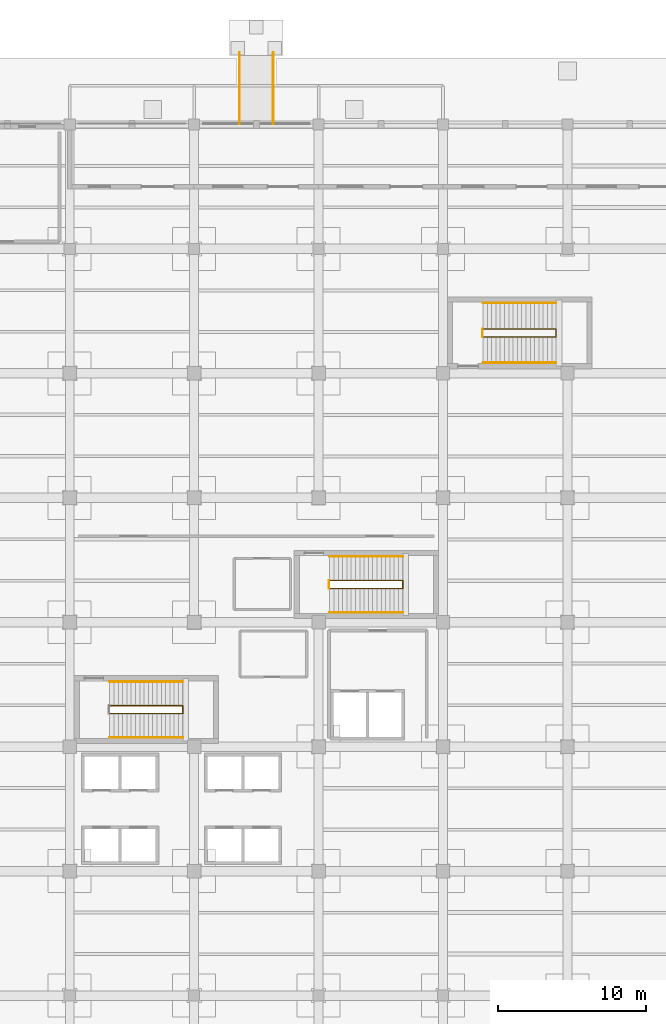
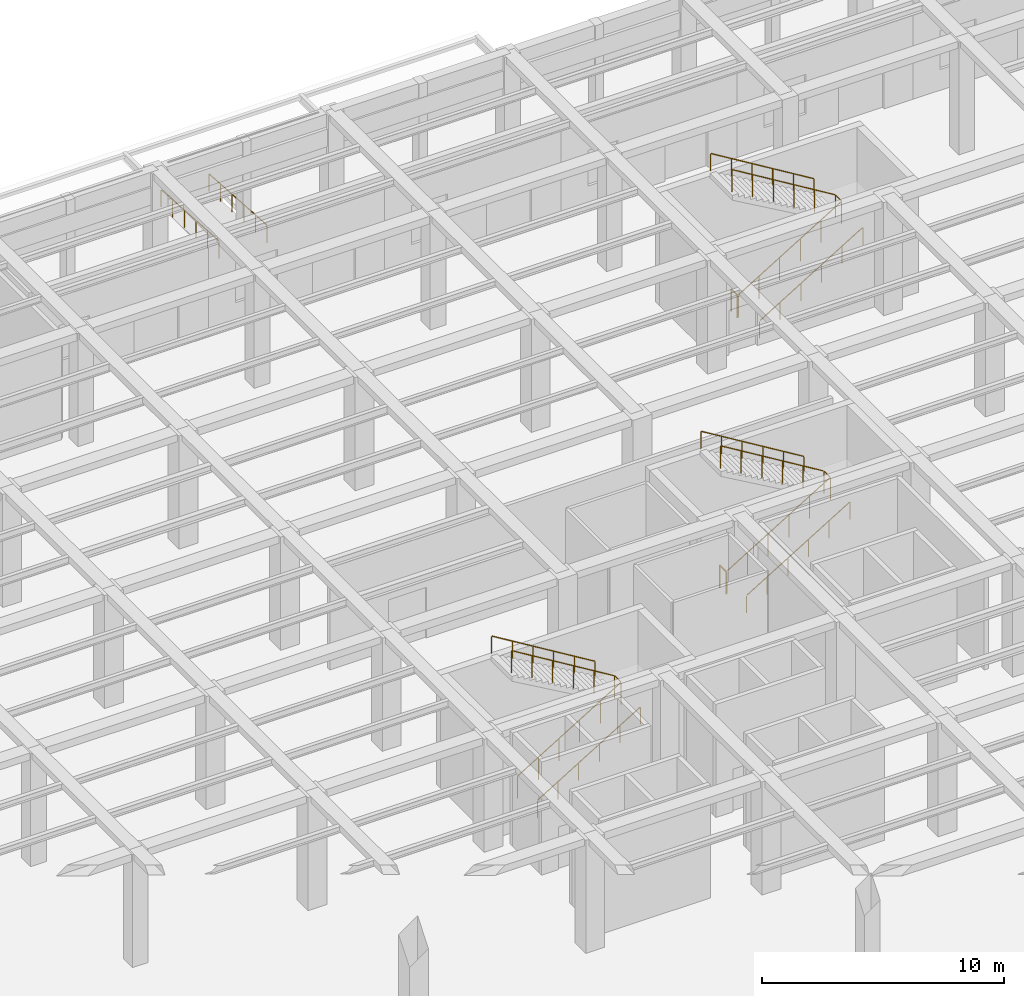
# One storey, part 42 of 43: 13 railings.
"""IFC4 building model written with IfcOpenShell, lengths in metres."""

from ifc_helpers import new_model, si_unit, direction, frame, origin, origin_2d, place, context, subcontext, project, spatial, circle, extrude, material, type_object, element, save


model = new_model("IFC4")

# Units and contexts
model_context = context("Model", 3, precision=1e-05, world=origin(), true_north=direction((0.0, 1.0)))
body_context = subcontext(model_context, "Body", "Model", "MODEL_VIEW")
ifc_project = project(units=[si_unit("LENGTHUNIT", "METRE"), si_unit("AREAUNIT", "SQUARE_METRE"), si_unit("VOLUMEUNIT", "CUBIC_METRE"), si_unit("PLANEANGLEUNIT", "RADIAN"), si_unit("MASSUNIT", "GRAM", prefix="KILO")], contexts=[model_context])

# Site, building, storey
site_placement = place(None, origin())
site = spatial("IfcSite", under=ifc_project, at=site_placement, CompositionType="ELEMENT")
building_placement = place(site_placement, origin())
building = spatial("IfcBuilding", under=site, at=building_placement, Name="Almacenes y Pasaje Nevantli", CompositionType="ELEMENT")
storey_placement = place(building_placement, origin())
storey = spatial("IfcBuildingStorey", under=building, at=storey_placement, Name="L01", CompositionType="ELEMENT", Elevation=0.0)

# Railings
ifc_material_1 = material(Name="Brushed Stainless Steel and Tempered Safety Glass", Category="steel")
railing_type_1 = type_object("IfcRailingType", Name="RL-GUARD-1100", PredefinedType="BALUSTRADE", material=ifc_material_1)
railing_1_placement = place(storey_placement, frame((120.300048828125, 77.830078125, 0.0)))
element("IfcRailing", 1, at=railing_1_placement, inside=storey, type_object=railing_type_1, Name="L01 Stair ST-01 Inner Well Guard Balustrade", PredefinedType="BALUSTRADE", context=body_context, shape_type="SweptSolid", body=[
    extrude(circle(Radius=0.02392578125, at=origin_2d()), frame((0.025634765625, 0.0, 1.141357421875), z_axis=(0.854262269089, 0.0, 0.519842260316), x_axis=(0.0, 1.0, 0.0)), (0.0, 0.0, 1.0), 5.7109375),
    extrude(circle(Radius=0.02392578125, at=origin_2d()), frame((4.929931640625, 0.030029296875, 4.1259765625), z_axis=(0.0, 1.0, 0.0), x_axis=(-1.0, 0.0, 0.0)), (0.0, 0.0, 1.0), 0.469970703125),
    extrude(circle(Radius=0.02392578125, at=origin_2d()), frame((4.904296875, 0.530029296875, 4.141357421875), z_axis=(-0.854262269089, 0.0, 0.519842260316), x_axis=(0.0, -1.0, 0.0)), (0.0, 0.0, 1.0), 5.7109375),
    extrude(circle(Radius=0.02099609375, at=origin_2d()), origin(), (0.0, 0.0, 1.0), 1.096923828125),
    extrude(circle(Radius=0.02099609375, at=origin_2d()), frame((0.986083984375, 0.0, 0.60009765625)), (0.0, 0.0, 1.0), 1.096923828125),
    extrude(circle(Radius=0.02099609375, at=origin_2d()), frame((1.971923828125, 0.0, 1.199951171875)), (0.0, 0.0, 1.0), 1.096923828125),
    extrude(circle(Radius=0.02099609375, at=origin_2d()), frame((2.9580078125, 0.0, 1.800048828125)), (0.0, 0.0, 1.0), 1.096923828125),
    extrude(circle(Radius=0.02099609375, at=origin_2d()), frame((3.94384765625, 0.0, 2.39990234375)), (0.0, 0.0, 1.0), 1.096923828125),
    extrude(circle(Radius=0.02099609375, at=origin_2d()), frame((4.929931640625, 0.0, 3.0)), (0.0, 0.0, 1.0), 1.096923828125),
    extrude(circle(Radius=0.02099609375, at=origin_2d()), frame((4.929931640625, 0.530029296875, 3.0)), (0.0, 0.0, 1.0), 1.096923828125),
    extrude(circle(Radius=0.02099609375, at=origin_2d()), frame((3.94384765625, 0.530029296875, 3.60009765625)), (0.0, 0.0, 1.0), 1.096923828125),
    extrude(circle(Radius=0.02099609375, at=origin_2d()), frame((2.9580078125, 0.530029296875, 4.199951171875)), (0.0, 0.0, 1.0), 1.096923828125),
    extrude(circle(Radius=0.02099609375, at=origin_2d()), frame((1.971923828125, 0.530029296875, 4.800048828125)), (0.0, 0.0, 1.0), 1.096923828125),
    extrude(circle(Radius=0.02099609375, at=origin_2d()), frame((0.986083984375, 0.530029296875, 5.39990234375)), (0.0, 0.0, 1.0), 1.096923828125),
    extrude(circle(Radius=0.02099609375, at=origin_2d()), frame((0.0, 0.530029296875, 6.0)), (0.0, 0.0, 1.0), 1.096923828125),
])
railing_2_placement = place(storey_placement, frame((135.14990234375, 86.280029296875, 0.0)))
element("IfcRailing", 2, at=railing_2_placement, inside=storey, type_object=railing_type_1, Name="L01 Stair ST-02 Inner Well Guard Balustrade", PredefinedType="BALUSTRADE", context=body_context, shape_type="SweptSolid", body=[
    extrude(circle(Radius=0.02392578125, at=origin_2d()), frame((0.025634765625, 0.0, 1.141357421875), z_axis=(0.854273700768, 0.0, 0.519823474053), x_axis=(0.0, 1.0, 0.0)), (0.0, 0.0, 1.0), 5.711181640625),
    extrude(circle(Radius=0.02392578125, at=origin_2d()), frame((4.93017578125, 0.030029296875, 4.1259765625), z_axis=(0.0, 1.0, 0.0), x_axis=(-1.0, 0.0, 0.0)), (0.0, 0.0, 1.0), 0.469970703125),
    extrude(circle(Radius=0.02392578125, at=origin_2d()), frame((4.904541015625, 0.530029296875, 4.141357421875), z_axis=(-0.854273700768, 0.0, 0.519823474053), x_axis=(0.0, -1.0, 0.0)), (0.0, 0.0, 1.0), 5.711181640625),
    extrude(circle(Radius=0.02099609375, at=origin_2d()), origin(), (0.0, 0.0, 1.0), 1.096923828125),
    extrude(circle(Radius=0.02099609375, at=origin_2d()), frame((0.986083984375, 0.0, 0.60009765625)), (0.0, 0.0, 1.0), 1.096923828125),
    extrude(circle(Radius=0.02099609375, at=origin_2d()), frame((1.97216796875, 0.0, 1.199951171875)), (0.0, 0.0, 1.0), 1.096923828125),
    extrude(circle(Radius=0.02099609375, at=origin_2d()), frame((2.9580078125, 0.0, 1.800048828125)), (0.0, 0.0, 1.0), 1.096923828125),
    extrude(circle(Radius=0.02099609375, at=origin_2d()), frame((3.944091796875, 0.0, 2.39990234375)), (0.0, 0.0, 1.0), 1.096923828125),
    extrude(circle(Radius=0.02099609375, at=origin_2d()), frame((4.93017578125, 0.0, 3.0)), (0.0, 0.0, 1.0), 1.096923828125),
    extrude(circle(Radius=0.02099609375, at=origin_2d()), frame((4.93017578125, 0.530029296875, 3.0)), (0.0, 0.0, 1.0), 1.096923828125),
    extrude(circle(Radius=0.02099609375, at=origin_2d()), frame((3.944091796875, 0.530029296875, 3.60009765625)), (0.0, 0.0, 1.0), 1.096923828125),
    extrude(circle(Radius=0.02099609375, at=origin_2d()), frame((2.9580078125, 0.530029296875, 4.199951171875)), (0.0, 0.0, 1.0), 1.096923828125),
    extrude(circle(Radius=0.02099609375, at=origin_2d()), frame((1.97216796875, 0.530029296875, 4.800048828125)), (0.0, 0.0, 1.0), 1.096923828125),
    extrude(circle(Radius=0.02099609375, at=origin_2d()), frame((0.986083984375, 0.530029296875, 5.39990234375)), (0.0, 0.0, 1.0), 1.096923828125),
    extrude(circle(Radius=0.02099609375, at=origin_2d()), frame((0.0, 0.530029296875, 6.0)), (0.0, 0.0, 1.0), 1.096923828125),
])
railing_3_placement = place(storey_placement, frame((135.110107421875, 86.280029296875, 0.0)))
element("IfcRailing", 3, at=railing_3_placement, inside=storey, type_object=railing_type_1, Name="L01 Stair ST-02 Landing Well Slot Guard", PredefinedType="BALUSTRADE", context=body_context, shape_type="SweptSolid", body=[
    extrude(circle(Radius=0.02392578125, at=origin_2d()), frame((0.0, 0.030029296875, 1.1259765625), z_axis=(0.0, 1.0, 0.0), x_axis=(-1.0, 0.0, 0.0)), (0.0, 0.0, 1.0), 0.469970703125),
    extrude(circle(Radius=0.02099609375, at=origin_2d()), origin(), (0.0, 0.0, 1.0), 1.096923828125),
    extrude(circle(Radius=0.02099609375, at=origin_2d()), frame((0.0, 0.530029296875, 0.0)), (0.0, 0.0, 1.0), 1.096923828125),
])
railing_4_placement = place(storey_placement, frame((145.5, 103.260009765625, 0.0)))
element("IfcRailing", 4, at=railing_4_placement, inside=storey, type_object=railing_type_1, Name="L01 Stair ST-07 Inner Well Guard Balustrade", PredefinedType="BALUSTRADE", context=body_context, shape_type="SweptSolid", body=[
    extrude(circle(Radius=0.02392578125, at=origin_2d()), frame((0.025634765625, 0.0, 1.141357421875), z_axis=(0.854262269089, 0.0, 0.519842260316), x_axis=(0.0, 1.0, 0.0)), (0.0, 0.0, 1.0), 5.7109375),
    extrude(circle(Radius=0.02392578125, at=origin_2d()), frame((4.929931640625, 0.030029296875, 4.1259765625), z_axis=(0.0, 1.0, 0.0), x_axis=(-1.0, 0.0, 0.0)), (0.0, 0.0, 1.0), 0.469970703125),
    extrude(circle(Radius=0.02392578125, at=origin_2d()), frame((4.904296875, 0.530029296875, 4.141357421875), z_axis=(-0.854262269089, 0.0, 0.519842260316), x_axis=(0.0, -1.0, 0.0)), (0.0, 0.0, 1.0), 5.7109375),
    extrude(circle(Radius=0.02099609375, at=origin_2d()), origin(), (0.0, 0.0, 1.0), 1.096923828125),
    extrude(circle(Radius=0.02099609375, at=origin_2d()), frame((0.986083984375, 0.0, 0.60009765625)), (0.0, 0.0, 1.0), 1.096923828125),
    extrude(circle(Radius=0.02099609375, at=origin_2d()), frame((1.971923828125, 0.0, 1.199951171875)), (0.0, 0.0, 1.0), 1.096923828125),
    extrude(circle(Radius=0.02099609375, at=origin_2d()), frame((2.9580078125, 0.0, 1.800048828125)), (0.0, 0.0, 1.0), 1.096923828125),
    extrude(circle(Radius=0.02099609375, at=origin_2d()), frame((3.94384765625, 0.0, 2.39990234375)), (0.0, 0.0, 1.0), 1.096923828125),
    extrude(circle(Radius=0.02099609375, at=origin_2d()), frame((4.929931640625, 0.0, 3.0)), (0.0, 0.0, 1.0), 1.096923828125),
    extrude(circle(Radius=0.02099609375, at=origin_2d()), frame((4.929931640625, 0.530029296875, 3.0)), (0.0, 0.0, 1.0), 1.096923828125),
    extrude(circle(Radius=0.02099609375, at=origin_2d()), frame((3.94384765625, 0.530029296875, 3.60009765625)), (0.0, 0.0, 1.0), 1.096923828125),
    extrude(circle(Radius=0.02099609375, at=origin_2d()), frame((2.9580078125, 0.530029296875, 4.199951171875)), (0.0, 0.0, 1.0), 1.096923828125),
    extrude(circle(Radius=0.02099609375, at=origin_2d()), frame((1.971923828125, 0.530029296875, 4.800048828125)), (0.0, 0.0, 1.0), 1.096923828125),
    extrude(circle(Radius=0.02099609375, at=origin_2d()), frame((0.986083984375, 0.530029296875, 5.39990234375)), (0.0, 0.0, 1.0), 1.096923828125),
    extrude(circle(Radius=0.02099609375, at=origin_2d()), frame((0.0, 0.530029296875, 6.0)), (0.0, 0.0, 1.0), 1.096923828125),
])
railing_5_placement = place(storey_placement, frame((145.4599609375, 103.260009765625, 0.0)))
element("IfcRailing", 5, at=railing_5_placement, inside=storey, type_object=railing_type_1, Name="L01 Stair ST-07 Landing Well Slot Guard", PredefinedType="BALUSTRADE", context=body_context, shape_type="SweptSolid", body=[
    extrude(circle(Radius=0.02392578125, at=origin_2d()), frame((0.0, 0.030029296875, 1.1259765625), z_axis=(0.0, 1.0, 0.0), x_axis=(-1.0, 0.0, 0.0)), (0.0, 0.0, 1.0), 0.469970703125),
    extrude(circle(Radius=0.02099609375, at=origin_2d()), origin(), (0.0, 0.0, 1.0), 1.096923828125),
    extrude(circle(Radius=0.02099609375, at=origin_2d()), frame((0.0, 0.530029296875, 0.0)), (0.0, 0.0, 1.0), 1.096923828125),
])
ifc_material_2 = material(Name="Brushed Stainless Steel Tube", Category="steel")
railing_type_2 = type_object("IfcRailingType", Name="RL-HANDRAIL-900", PredefinedType="HANDRAIL", material=ifc_material_2)
railing_6_placement = place(storey_placement, frame((120.300048828125, 76.2099609375, 0.0)))
element("IfcRailing", 6, at=railing_6_placement, inside=storey, type_object=railing_type_2, Name="L01 Stair ST-01 Lower Flight Handrail", PredefinedType="HANDRAIL", context=body_context, shape_type="SweptSolid", body=[
    extrude(circle(Radius=0.02392578125, at=origin_2d()), frame((0.025634765625, 0.0, 0.891357421875), z_axis=(0.854262269089, 0.0, 0.519842260316), x_axis=(0.0, 1.0, 0.0)), (0.0, 0.0, 1.0), 5.7109375),
    extrude(circle(Radius=0.02099609375, at=origin_2d()), origin(), (0.0, 0.0, 1.0), 0.846923828125),
    extrude(circle(Radius=0.02099609375, at=origin_2d()), frame((0.986083984375, 0.0, 0.60009765625)), (0.0, 0.0, 1.0), 0.846923828125),
    extrude(circle(Radius=0.02099609375, at=origin_2d()), frame((1.971923828125, 0.0, 1.199951171875)), (0.0, 0.0, 1.0), 0.846923828125),
    extrude(circle(Radius=0.02099609375, at=origin_2d()), frame((2.9580078125, 0.0, 1.800048828125)), (0.0, 0.0, 1.0), 0.846923828125),
    extrude(circle(Radius=0.02099609375, at=origin_2d()), frame((3.94384765625, 0.0, 2.39990234375)), (0.0, 0.0, 1.0), 0.846923828125),
    extrude(circle(Radius=0.02099609375, at=origin_2d()), frame((4.929931640625, 0.0, 3.0)), (0.0, 0.0, 1.0), 0.846923828125),
])
railing_7_placement = place(storey_placement, frame((125.22998046875, 79.97998046875, 3.0)))
element("IfcRailing", 7, at=railing_7_placement, inside=storey, type_object=railing_type_2, Name="L01 Stair ST-01 Upper Flight Handrail", PredefinedType="HANDRAIL", context=body_context, shape_type="SweptSolid", body=[
    extrude(circle(Radius=0.02392578125, at=origin_2d()), frame((-0.025634765625, 0.0, 0.891357421875), z_axis=(-0.854262269089, 0.0, 0.519842260316), x_axis=(0.0, -1.0, 0.0)), (0.0, 0.0, 1.0), 5.7109375),
    extrude(circle(Radius=0.02099609375, at=origin_2d()), origin(), (0.0, 0.0, 1.0), 0.846923828125),
    extrude(circle(Radius=0.02099609375, at=origin_2d()), frame((-0.986083984375, 0.0, 0.60009765625)), (0.0, 0.0, 1.0), 0.846923828125),
    extrude(circle(Radius=0.02099609375, at=origin_2d()), frame((-1.971923828125, 0.0, 1.199951171875)), (0.0, 0.0, 1.0), 0.846923828125),
    extrude(circle(Radius=0.02099609375, at=origin_2d()), frame((-2.9580078125, 0.0, 1.800048828125)), (0.0, 0.0, 1.0), 0.846923828125),
    extrude(circle(Radius=0.02099609375, at=origin_2d()), frame((-3.94384765625, 0.0, 2.39990234375)), (0.0, 0.0, 1.0), 0.846923828125),
    extrude(circle(Radius=0.02099609375, at=origin_2d()), frame((-4.929931640625, 0.0, 3.0)), (0.0, 0.0, 1.0), 0.846923828125),
])
railing_8_placement = place(storey_placement, frame((135.14990234375, 84.659912109375, 0.0)))
element("IfcRailing", 8, at=railing_8_placement, inside=storey, type_object=railing_type_2, Name="L01 Stair ST-02 Lower Flight Handrail", PredefinedType="HANDRAIL", context=body_context, shape_type="SweptSolid", body=[
    extrude(circle(Radius=0.02392578125, at=origin_2d()), frame((0.025634765625, 0.0, 0.891357421875), z_axis=(0.854273700768, 0.0, 0.519823474053), x_axis=(0.0, 1.0, 0.0)), (0.0, 0.0, 1.0), 5.711181640625),
    extrude(circle(Radius=0.02099609375, at=origin_2d()), origin(), (0.0, 0.0, 1.0), 0.846923828125),
    extrude(circle(Radius=0.02099609375, at=origin_2d()), frame((0.986083984375, 0.0, 0.60009765625)), (0.0, 0.0, 1.0), 0.846923828125),
    extrude(circle(Radius=0.02099609375, at=origin_2d()), frame((1.97216796875, 0.0, 1.199951171875)), (0.0, 0.0, 1.0), 0.846923828125),
    extrude(circle(Radius=0.02099609375, at=origin_2d()), frame((2.9580078125, 0.0, 1.800048828125)), (0.0, 0.0, 1.0), 0.846923828125),
    extrude(circle(Radius=0.02099609375, at=origin_2d()), frame((3.944091796875, 0.0, 2.39990234375)), (0.0, 0.0, 1.0), 0.846923828125),
    extrude(circle(Radius=0.02099609375, at=origin_2d()), frame((4.93017578125, 0.0, 3.0)), (0.0, 0.0, 1.0), 0.846923828125),
])
railing_9_placement = place(storey_placement, frame((140.080078125, 88.429931640625, 3.0)))
element("IfcRailing", 9, at=railing_9_placement, inside=storey, type_object=railing_type_2, Name="L01 Stair ST-02 Upper Flight Handrail", PredefinedType="HANDRAIL", context=body_context, shape_type="SweptSolid", body=[
    extrude(circle(Radius=0.02392578125, at=origin_2d()), frame((-0.025634765625, 0.0, 0.891357421875), z_axis=(-0.854273700768, 0.0, 0.519823474053), x_axis=(0.0, -1.0, 0.0)), (0.0, 0.0, 1.0), 5.711181640625),
    extrude(circle(Radius=0.02099609375, at=origin_2d()), origin(), (0.0, 0.0, 1.0), 0.846923828125),
    extrude(circle(Radius=0.02099609375, at=origin_2d()), frame((-0.986083984375, 0.0, 0.60009765625)), (0.0, 0.0, 1.0), 0.846923828125),
    extrude(circle(Radius=0.02099609375, at=origin_2d()), frame((-1.97216796875, 0.0, 1.199951171875)), (0.0, 0.0, 1.0), 0.846923828125),
    extrude(circle(Radius=0.02099609375, at=origin_2d()), frame((-2.9580078125, 0.0, 1.800048828125)), (0.0, 0.0, 1.0), 0.846923828125),
    extrude(circle(Radius=0.02099609375, at=origin_2d()), frame((-3.944091796875, 0.0, 2.39990234375)), (0.0, 0.0, 1.0), 0.846923828125),
    extrude(circle(Radius=0.02099609375, at=origin_2d()), frame((-4.93017578125, 0.0, 3.0)), (0.0, 0.0, 1.0), 0.846923828125),
])
railing_10_placement = place(storey_placement, frame((145.5, 101.510009765625, 0.0)))
element("IfcRailing", 10, at=railing_10_placement, inside=storey, type_object=railing_type_2, Name="L01 Stair ST-07 Lower Flight Handrail", PredefinedType="HANDRAIL", context=body_context, shape_type="SweptSolid", body=[
    extrude(circle(Radius=0.02392578125, at=origin_2d()), frame((0.025634765625, 0.0, 0.891357421875), z_axis=(0.854262269089, 0.0, 0.519842260316), x_axis=(0.0, 1.0, 0.0)), (0.0, 0.0, 1.0), 5.7109375),
    extrude(circle(Radius=0.02099609375, at=origin_2d()), origin(), (0.0, 0.0, 1.0), 0.846923828125),
    extrude(circle(Radius=0.02099609375, at=origin_2d()), frame((0.986083984375, 0.0, 0.60009765625)), (0.0, 0.0, 1.0), 0.846923828125),
    extrude(circle(Radius=0.02099609375, at=origin_2d()), frame((1.971923828125, 0.0, 1.199951171875)), (0.0, 0.0, 1.0), 0.846923828125),
    extrude(circle(Radius=0.02099609375, at=origin_2d()), frame((2.9580078125, 0.0, 1.800048828125)), (0.0, 0.0, 1.0), 0.846923828125),
    extrude(circle(Radius=0.02099609375, at=origin_2d()), frame((3.94384765625, 0.0, 2.39990234375)), (0.0, 0.0, 1.0), 0.846923828125),
    extrude(circle(Radius=0.02099609375, at=origin_2d()), frame((4.929931640625, 0.0, 3.0)), (0.0, 0.0, 1.0), 0.846923828125),
])
railing_11_placement = place(storey_placement, frame((150.429931640625, 105.5400390625, 3.0)))
element("IfcRailing", 11, at=railing_11_placement, inside=storey, type_object=railing_type_2, Name="L01 Stair ST-07 Upper Flight Handrail", PredefinedType="HANDRAIL", context=body_context, shape_type="SweptSolid", body=[
    extrude(circle(Radius=0.02392578125, at=origin_2d()), frame((-0.025634765625, 0.0, 0.891357421875), z_axis=(-0.854262269089, 0.0, 0.519842260316), x_axis=(0.0, -1.0, 0.0)), (0.0, 0.0, 1.0), 5.7109375),
    extrude(circle(Radius=0.02099609375, at=origin_2d()), origin(), (0.0, 0.0, 1.0), 0.846923828125),
    extrude(circle(Radius=0.02099609375, at=origin_2d()), frame((-0.986083984375, 0.0, 0.60009765625)), (0.0, 0.0, 1.0), 0.846923828125),
    extrude(circle(Radius=0.02099609375, at=origin_2d()), frame((-1.971923828125, 0.0, 1.199951171875)), (0.0, 0.0, 1.0), 0.846923828125),
    extrude(circle(Radius=0.02099609375, at=origin_2d()), frame((-2.9580078125, 0.0, 1.800048828125)), (0.0, 0.0, 1.0), 0.846923828125),
    extrude(circle(Radius=0.02099609375, at=origin_2d()), frame((-3.94384765625, 0.0, 2.39990234375)), (0.0, 0.0, 1.0), 0.846923828125),
    extrude(circle(Radius=0.02099609375, at=origin_2d()), frame((-4.929931640625, 0.0, 3.0)), (0.0, 0.0, 1.0), 0.846923828125),
])
for number, where, name in (
    (12, (129.06005859375, 122.449951171875, -0.320068359375), "Accessible Entrance Ramp RP-05 West Handrail"),
    (13, (131.340087890625, 122.449951171875, -0.320068359375), "Accessible Entrance Ramp RP-05 East Handrail"),
):
    element("IfcRailing", number, at=place(storey_placement, frame(where)), inside=storey, type_object=railing_type_2, Name=name, PredefinedType="HANDRAIL", context=body_context, shape_type="SweptSolid", body=[
        extrude(circle(Radius=0.02392578125, at=origin_2d()), frame((0.0, -0.030029296875, 0.8779296875), z_axis=(0.0, -0.997784259546, 0.066532483814), x_axis=(1.0, 0.0, 0.0)), (0.0, 0.0, 1.0), 4.750732421875),
        extrude(circle(Radius=0.02099609375, at=origin_2d()), origin(), (0.0, 0.0, 1.0), 0.846923828125),
        extrude(circle(Radius=0.02099609375, at=origin_2d()), frame((0.0, -0.9599609375, 0.06396484375)), (0.0, 0.0, 1.0), 0.846923828125),
        extrude(circle(Radius=0.02099609375, at=origin_2d()), frame((0.0, -1.919921875, 0.1279296875)), (0.0, 0.0, 1.0), 0.846923828125),
        extrude(circle(Radius=0.02099609375, at=origin_2d()), frame((0.0, -2.880126953125, 0.192138671875)), (0.0, 0.0, 1.0), 0.846923828125),
        extrude(circle(Radius=0.02099609375, at=origin_2d()), frame((0.0, -3.840087890625, 0.256103515625)), (0.0, 0.0, 1.0), 0.846923828125),
        extrude(circle(Radius=0.02099609375, at=origin_2d()), frame((0.0, -4.800048828125, 0.320068359375)), (0.0, 0.0, 1.0), 0.846923828125),
    ])

save(model, "model.ifc")
